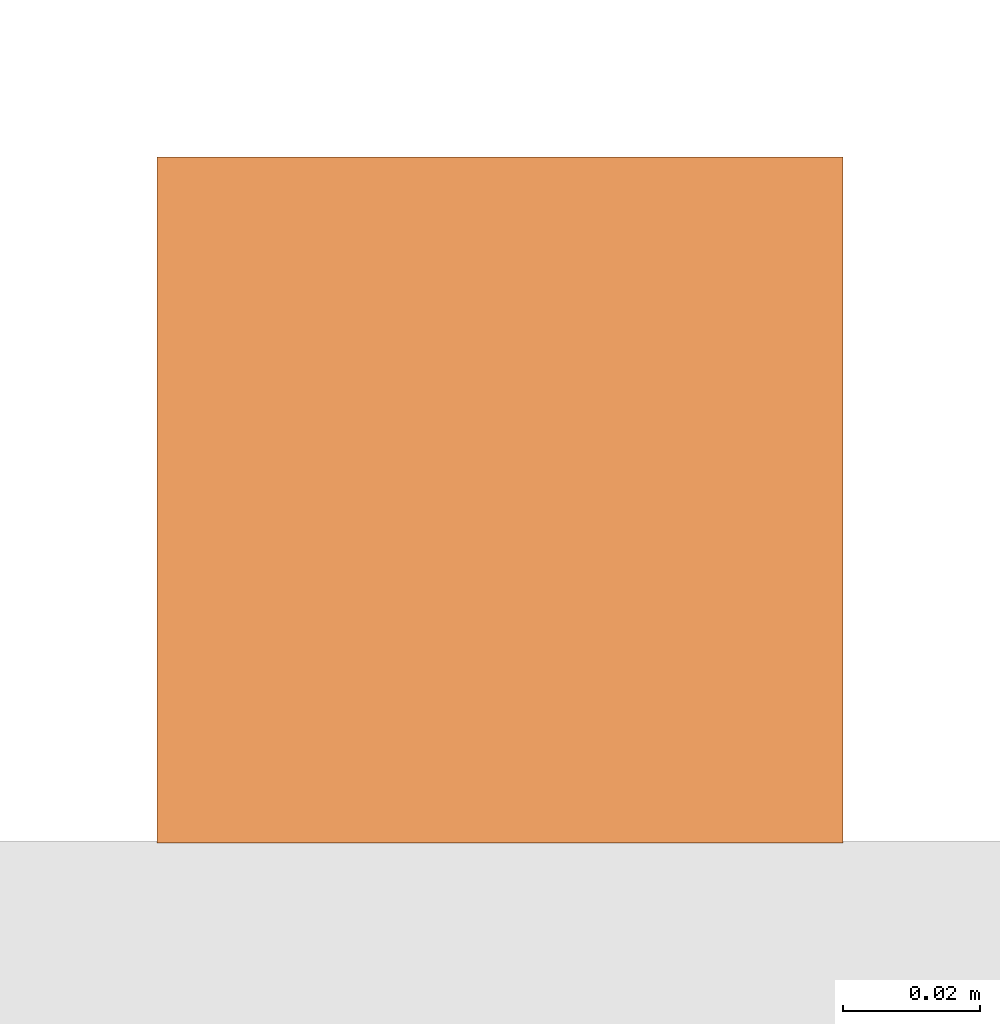
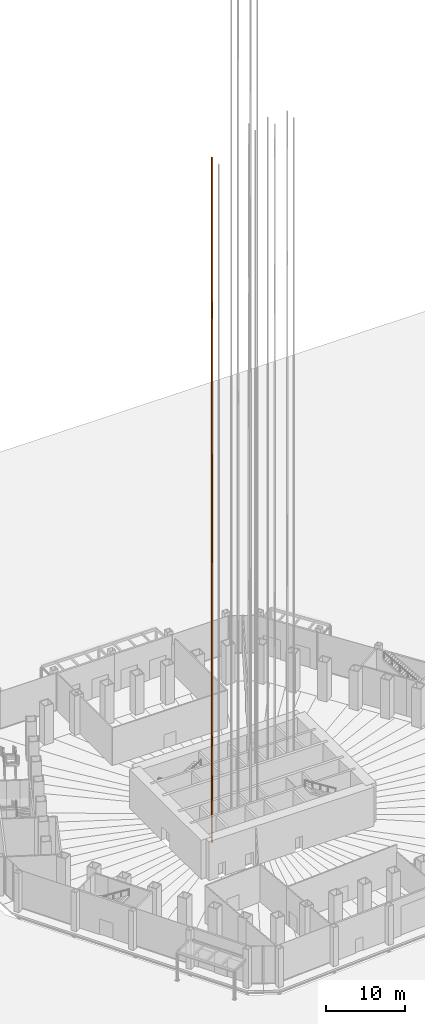
# One storey, part 36 of 45: 1 proxy.
"""IFC4 building model written with IfcOpenShell, lengths in metres."""

from ifc_helpers import new_model, si_unit, direction, frame, origin, origin_2d, place, context, subcontext, project, spatial, rectangle, extrude, material, type_object, element, save


model = new_model("IFC4")

# Units and contexts
model_context = context("Model", 3, precision=1e-05, world=origin(), true_north=direction((0.0, 1.0)))
body_context = subcontext(model_context, "Body", "Model", "MODEL_VIEW")
ifc_project = project(units=[si_unit("LENGTHUNIT", "METRE"), si_unit("AREAUNIT", "SQUARE_METRE"), si_unit("VOLUMEUNIT", "CUBIC_METRE"), si_unit("PLANEANGLEUNIT", "RADIAN"), si_unit("MASSUNIT", "GRAM", prefix="KILO")], contexts=[model_context])

# Site, building, storey
site_placement = place(None, origin())
site = spatial("IfcSite", under=ifc_project, at=site_placement, CompositionType="ELEMENT")
building_placement = place(site_placement, origin())
building = spatial("IfcBuilding", under=site, at=building_placement, Name="Qingtian Harvest Tower", CompositionType="ELEMENT")
storey_placement = place(building_placement, origin())
storey = spatial("IfcBuildingStorey", under=building, at=storey_placement, Name="L00", CompositionType="ELEMENT", Elevation=0.0)

# Proxy
ifc_material = material(Name="Steel SN490B", Category="steel")
building_element_proxy_type = type_object("IfcBuildingElementProxyType", Name="Lift guide rail LR1", PredefinedType="NOTDEFINED", material=ifc_material)
proxy_placement = place(storey_placement, frame((-7.5, -2.675048828125, 0.0), z_axis=(0.0, 0.0, 1.0), x_axis=(1.0, 0.0, 0.0)))
element("IfcBuildingElementProxy", 1, at=proxy_placement, inside=storey, type_object=building_element_proxy_type, Name="Lift SH1 guide rail 2", PredefinedType="NOTDEFINED", context=body_context, shape_type="SweptSolid", body=[
    extrude(rectangle(XDim=0.10009765625, YDim=0.10009765625, at=origin_2d()), origin(), (0.0, 0.0, 1.0), 105.39990234375),
])

save(model, "model.ifc")
